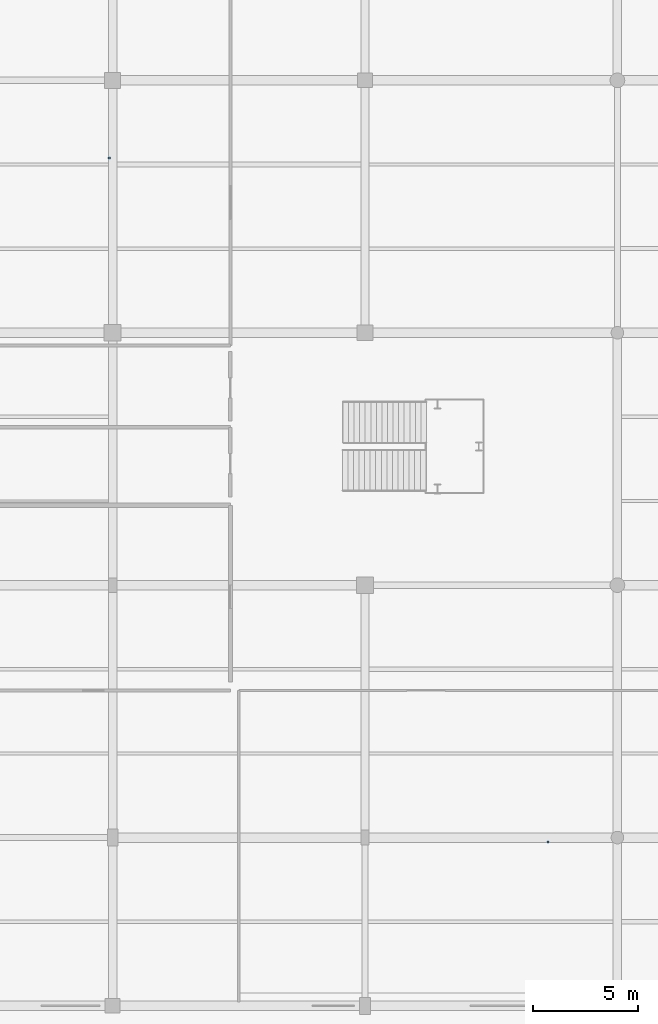
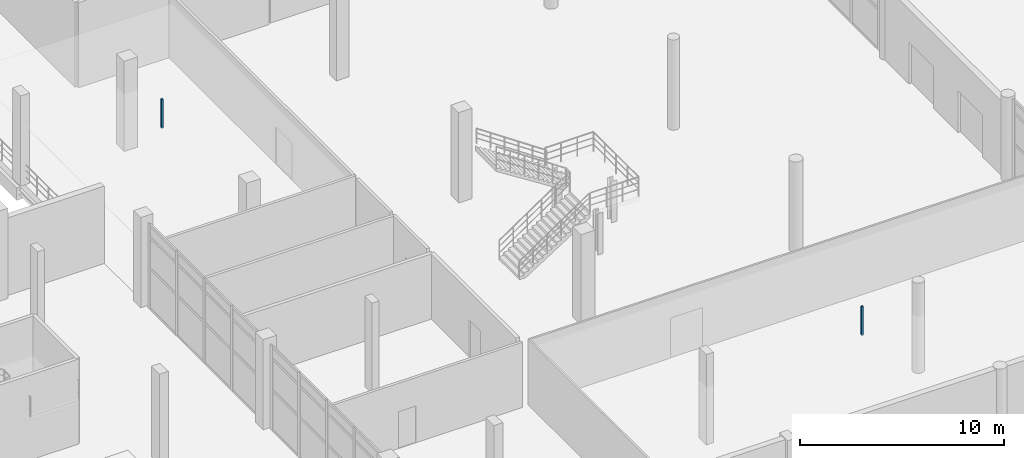
# One storey, part 69 of 85: 2 discrete accessories.
"""IFC4 building model written with IfcOpenShell, lengths in metres."""

from ifc_helpers import new_model, si_unit, direction, frame, origin, origin_2d, place, context, subcontext, project, spatial, rectangle, extrude, material, type_object, element, save


model = new_model("IFC4")

# Units and contexts
model_context = context("Model", 3, precision=1e-05, world=origin(), true_north=direction((0.0, 1.0)))
body_context = subcontext(model_context, "Body", "Model", "MODEL_VIEW")
ifc_project = project(units=[si_unit("LENGTHUNIT", "METRE"), si_unit("AREAUNIT", "SQUARE_METRE"), si_unit("VOLUMEUNIT", "CUBIC_METRE"), si_unit("PLANEANGLEUNIT", "RADIAN"), si_unit("MASSUNIT", "GRAM", prefix="KILO"), si_unit("THERMODYNAMICTEMPERATUREUNIT", "KELVIN"), si_unit("POWERUNIT", "WATT")], contexts=[model_context])

# Site, building, storey
site_placement = place(None, origin())
site = spatial("IfcSite", under=ifc_project, at=site_placement, CompositionType="ELEMENT")
building_placement = place(site_placement, origin())
building = spatial("IfcBuilding", under=site, at=building_placement, Name="Solmara Park Aquatics Centre", CompositionType="ELEMENT")
storey_placement = place(building_placement, origin())
storey = spatial("IfcBuildingStorey", under=building, at=storey_placement, Name="L00", CompositionType="ELEMENT", Elevation=0.0)

# Discrete accessories
ifc_material = material(Name="Galvanised Steel Ceiling Suspension Bracket", Category="steel")
discrete_accessory_type = type_object("IfcDiscreteAccessoryType", Name="ARC-ACC-HNG", PredefinedType="BRACKET", material=ifc_material)
for number, where, z_axis, x_axis, name in (
    (1, (188.699951171875, 24.39990234375, 3.3798828125), (0.0, 0.0, 1.0), (1.0, 0.0, 0.0), "Ceiling Hanger Bracket L00-CAF-01"),
    (2, (167.840087890625, 56.89990234375, 3.3798828125), (0.0, 0.0, 1.0), (1.0, 0.0, 0.0), "Ceiling Hanger Bracket L00-COM-01"),
):
    element("IfcDiscreteAccessory", number, at=place(storey_placement, frame(where, z_axis=z_axis, x_axis=x_axis)), inside=storey, type_object=discrete_accessory_type, Name=name, PredefinedType="BRACKET", context=body_context, shape_type="SweptSolid", body=[
        extrude(rectangle(XDim=0.10009765625, YDim=0.10009765625, at=origin_2d()), origin(), (0.0, 0.0, 1.0), 1.719970703125),
    ])

save(model, "model.ifc")
